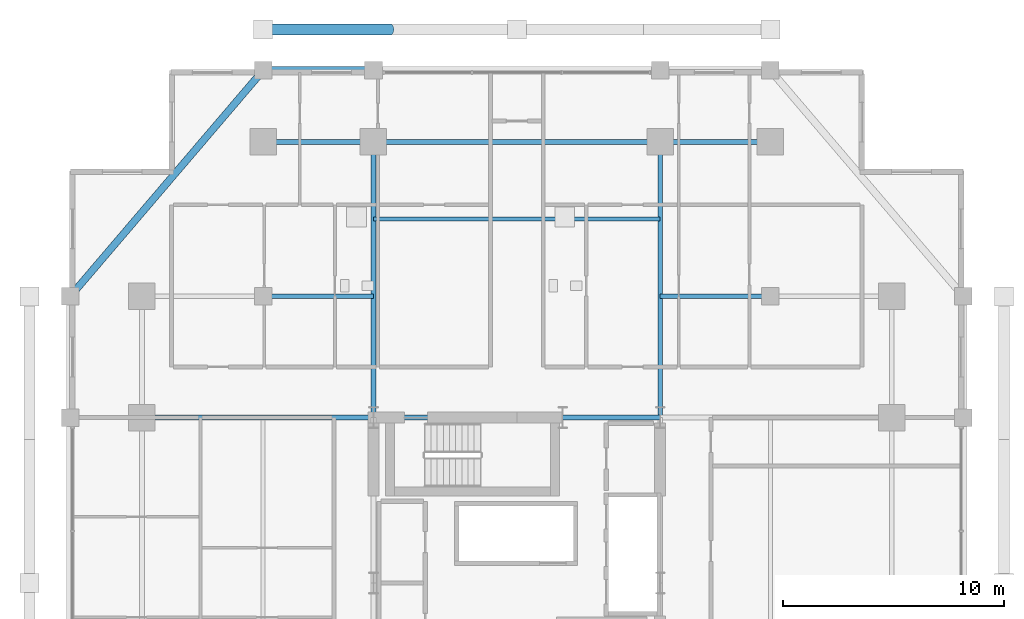
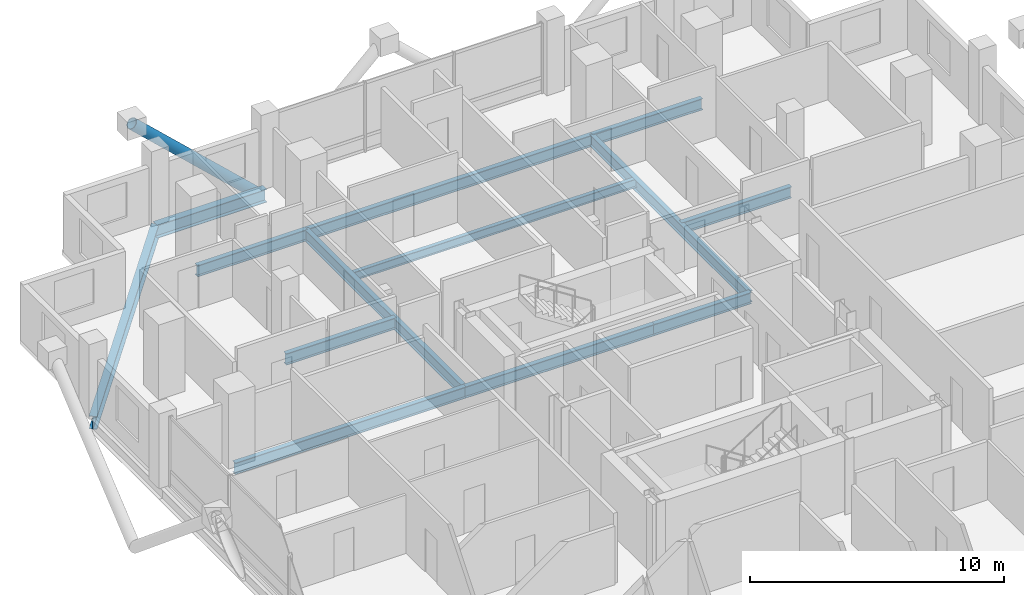
# One storey, part 12 of 23: 13 beams, 1 member.
"""IFC4 building model written with IfcOpenShell, lengths in metres."""

from ifc_helpers import new_model, si_unit, direction, frame, origin, origin_2d, place, context, subcontext, project, spatial, hollow_circle, i_section, extrude, material, material_profile, profile_set, type_object, element, save


model = new_model("IFC4")

# Units and contexts
model_context = context("Model", 3, precision=1e-05, world=origin(), true_north=direction((0.0, 1.0)))
body_context = subcontext(model_context, "Body", "Model", "MODEL_VIEW")
ifc_project = project(units=[si_unit("LENGTHUNIT", "METRE"), si_unit("AREAUNIT", "SQUARE_METRE"), si_unit("VOLUMEUNIT", "CUBIC_METRE"), si_unit("PLANEANGLEUNIT", "RADIAN"), si_unit("MASSUNIT", "GRAM", prefix="KILO")], contexts=[model_context])

# Site, building, storey
site_placement = place(None, origin())
site = spatial("IfcSite", under=ifc_project, at=site_placement, CompositionType="ELEMENT")
building_placement = place(site_placement, origin())
building = spatial("IfcBuilding", under=site, at=building_placement, Name="Barlavira Tower and Art Museum", CompositionType="ELEMENT")
storey_placement = place(building_placement, frame((0.0, 0.0, 140.39990234375)))
storey = spatial("IfcBuildingStorey", under=building, at=storey_placement, Name="L35", CompositionType="ELEMENT", Elevation=140.39990234375)

# Member
ifc_material = material(Name="Steel S355", Category="steel")
ifc_material_profile_1 = material_profile(ifc_material, hollow_circle(Radius=0.25390625, WallThickness=0.022216796875, at=origin_2d()), Name="CHS 508.0x22.2")
ifc_profile_set_1 = profile_set([ifc_material_profile_1], Name="Steel S355")
member_type = type_object("IfcMemberType", Name="Pale-Metal Exoskeleton Diagrid Tube CHS 508x22 Steel S355", PredefinedType="BRACE", material=ifc_profile_set_1)
member_placement = place(storey_placement, frame((-5.75, 25.10009765625, -1.919921875), z_axis=(-0.728950095515, 0.0, 0.684566839869), x_axis=(0.0, -1.0, 0.0)))
element("IfcMember", 1, at=member_placement, inside=storey, type_object=member_type, Name="L35 Exoskeleton Diagrid Tube N", PredefinedType="BRACE", context=body_context, shape_type="SweptSolid", body=[
    extrude(hollow_circle(Radius=0.25390625, WallThickness=0.022216796875, at=origin_2d()), origin(), (0.0, 0.0, 1.0), 7.887939453125),
])

# Beams
ifc_material_profile_2 = material_profile(ifc_material, i_section(OverallWidth=0.327880859375, OverallDepth=0.62890625, WebThickness=0.013916015625, FlangeThickness=0.021484375, at=origin_2d()), Name="W610x174.0")
ifc_profile_set_2 = profile_set([ifc_material_profile_2], Name="Steel S355")
beam_type_1 = type_object("IfcBeamType", Name="Perimeter Spandrel Edge Beam W610x174 Steel S355", PredefinedType="SPANDREL", material=ifc_profile_set_2)
beam_1_placement = place(storey_placement, frame((-11.5, 23.25, -0.534423828125), z_axis=(1.0, 0.0, 0.0), x_axis=(0.0, 1.0, 0.0)))
element("IfcBeam", 2, at=beam_1_placement, inside=storey, type_object=beam_type_1, Name="L35 Spandrel 11", PredefinedType="SPANDREL", context=body_context, shape_type="SweptSolid", body=[
    extrude(i_section(OverallWidth=0.327880859375, OverallDepth=0.62890625, WebThickness=0.013916015625, FlangeThickness=0.021484375, at=origin_2d()), origin(), (0.0, 0.0, 1.0), 5.0),
])
beam_2_placement = place(storey_placement, frame((-11.5, 23.25, -0.534423828125), z_axis=(-0.649262379928, -0.760564502202, 0.0), x_axis=(0.760564502202, -0.649262379928, 0.0)))
element("IfcBeam", 3, at=beam_2_placement, inside=storey, type_object=beam_type_1, Name="L35 Spandrel 12", PredefinedType="SPANDREL", context=body_context, shape_type="SweptSolid", body=[
    extrude(i_section(OverallWidth=0.327880859375, OverallDepth=0.62890625, WebThickness=0.013916015625, FlangeThickness=0.021484375, at=origin_2d()), origin(), (0.0, 0.0, 1.0), 13.476806640625),
])
ifc_material_profile_3 = material_profile(ifc_material, i_section(OverallWidth=0.214111328125, OverallDepth=0.549072265625, WebThickness=0.0146484375, FlangeThickness=0.023681640625, at=origin_2d()), Name="W530x138.0")
ifc_profile_set_3 = profile_set([ifc_material_profile_3], Name="Steel S355")
beam_type_2 = type_object("IfcBeamType", Name="Zone 1 Primary Floor Girder W530x138 Steel S355", PredefinedType="BEAM", material=ifc_profile_set_3)
beam_3_placement = place(storey_placement, frame((-6.5, 7.5, -0.494384765625), z_axis=(1.0, 0.0, 0.0), x_axis=(0.0, 1.0, 0.0)))
element("IfcBeam", 4, at=beam_3_placement, inside=storey, type_object=beam_type_2, Name="L35 Girder C-N1", PredefinedType="BEAM", context=body_context, shape_type="SweptSolid", body=[
    extrude(i_section(OverallWidth=0.214111328125, OverallDepth=0.549072265625, WebThickness=0.0146484375, FlangeThickness=0.023681640625, at=origin_2d()), origin(), (0.0, 0.0, 1.0), 8.580078125),
])
beam_4_placement = place(storey_placement, frame((2.080078125, 7.5, -0.494384765625), z_axis=(1.0, 0.0, 0.0), x_axis=(0.0, 1.0, 0.0)))
element("IfcBeam", 5, at=beam_4_placement, inside=storey, type_object=beam_type_2, Name="L35 Girder C-N2", PredefinedType="BEAM", context=body_context, shape_type="SweptSolid", body=[
    extrude(i_section(OverallWidth=0.214111328125, OverallDepth=0.549072265625, WebThickness=0.0146484375, FlangeThickness=0.023681640625, at=origin_2d()), origin(), (0.0, 0.0, 1.0), 4.419921875),
])
beam_5_placement = place(storey_placement, frame((-11.5, 20.0, -0.494384765625), z_axis=(1.0, 0.0, 0.0), x_axis=(0.0, 1.0, 0.0)))
element("IfcBeam", 6, at=beam_5_placement, inside=storey, type_object=beam_type_2, Name="L35 Girder M-N1", PredefinedType="BEAM", context=body_context, shape_type="SweptSolid", body=[
    extrude(i_section(OverallWidth=0.214111328125, OverallDepth=0.549072265625, WebThickness=0.0146484375, FlangeThickness=0.023681640625, at=origin_2d()), origin(), (0.0, 0.0, 1.0), 5.0),
])
beam_6_placement = place(storey_placement, frame((-6.5, 20.0, -0.494384765625), z_axis=(1.0, 0.0, 0.0), x_axis=(0.0, 1.0, 0.0)))
element("IfcBeam", 7, at=beam_6_placement, inside=storey, type_object=beam_type_2, Name="L35 Girder M-N2", PredefinedType="BEAM", context=body_context, shape_type="SweptSolid", body=[
    extrude(i_section(OverallWidth=0.214111328125, OverallDepth=0.549072265625, WebThickness=0.0146484375, FlangeThickness=0.023681640625, at=origin_2d()), origin(), (0.0, 0.0, 1.0), 13.0),
])
beam_7_placement = place(storey_placement, frame((6.5, 20.0, -0.494384765625), z_axis=(1.0, 0.0, 0.0), x_axis=(0.0, 1.0, 0.0)))
element("IfcBeam", 8, at=beam_7_placement, inside=storey, type_object=beam_type_2, Name="L35 Girder M-N3", PredefinedType="BEAM", context=body_context, shape_type="SweptSolid", body=[
    extrude(i_section(OverallWidth=0.214111328125, OverallDepth=0.549072265625, WebThickness=0.0146484375, FlangeThickness=0.023681640625, at=origin_2d()), origin(), (0.0, 0.0, 1.0), 5.0),
])
for number, where, z_axis, x_axis, name in (
    (9, (-6.5, 7.5, -0.494384765625), (0.0, 1.0, 0.0), (-1.0, 0.0, 0.0), "L35 Girder R-N1"),
    (10, (6.5, 7.5, -0.494384765625), (0.0, 1.0, 0.0), (-1.0, 0.0, 0.0), "L35 Girder R-N2"),
):
    element("IfcBeam", number, at=place(storey_placement, frame(where, z_axis=z_axis, x_axis=x_axis)), inside=storey, type_object=beam_type_2, Name=name, PredefinedType="BEAM", context=body_context, shape_type="SweptSolid", body=[
        extrude(i_section(OverallWidth=0.214111328125, OverallDepth=0.549072265625, WebThickness=0.0146484375, FlangeThickness=0.023681640625, at=origin_2d()), origin(), (0.0, 0.0, 1.0), 12.5),
    ])
beam_8_placement = place(storey_placement, frame((-17.0, 7.5, -0.494384765625), z_axis=(1.0, 0.0, 0.0), x_axis=(0.0, 1.0, 0.0)))
element("IfcBeam", 11, at=beam_8_placement, inside=storey, type_object=beam_type_2, Name="L35 Girder R-W2", PredefinedType="BEAM", context=body_context, shape_type="SweptSolid", body=[
    extrude(i_section(OverallWidth=0.214111328125, OverallDepth=0.549072265625, WebThickness=0.0146484375, FlangeThickness=0.023681640625, at=origin_2d()), origin(), (0.0, 0.0, 1.0), 10.5),
])
for number, where, z_axis, x_axis, name in (
    (12, (-11.5, 13.0, -0.494384765625), (1.0, 0.0, 0.0), (0.0, 1.0, 0.0), "L35 Girder I-N2"),
    (13, (6.5, 13.0, -0.494384765625), (1.0, 0.0, 0.0), (0.0, 1.0, 0.0), "L35 Girder I-N3"),
):
    element("IfcBeam", number, at=place(storey_placement, frame(where, z_axis=z_axis, x_axis=x_axis)), inside=storey, type_object=beam_type_2, Name=name, PredefinedType="BEAM", context=body_context, shape_type="SweptSolid", body=[
        extrude(i_section(OverallWidth=0.214111328125, OverallDepth=0.549072265625, WebThickness=0.0146484375, FlangeThickness=0.023681640625, at=origin_2d()), origin(), (0.0, 0.0, 1.0), 5.0),
    ])
ifc_material_profile_4 = material_profile(ifc_material, i_section(OverallWidth=0.179931640625, OverallDepth=0.4130859375, WebThickness=0.009765625, FlangeThickness=0.01611328125, at=origin_2d()), Name="W410x75.0")
ifc_profile_set_4 = profile_set([ifc_material_profile_4], Name="Steel S355")
beam_type_3 = type_object("IfcBeamType", Name="Zone 2 Composite Floor Joist W410x75 Steel S355", PredefinedType="JOIST", material=ifc_profile_set_4)
beam_9_placement = place(storey_placement, frame((-6.5, 16.5, -0.426513671875), z_axis=(1.0, 0.0, 0.0), x_axis=(0.0, 1.0, 0.0)))
element("IfcBeam", 14, at=beam_9_placement, inside=storey, type_object=beam_type_3, Name="L35 Joist C2", PredefinedType="JOIST", context=body_context, shape_type="SweptSolid", body=[
    extrude(i_section(OverallWidth=0.179931640625, OverallDepth=0.4130859375, WebThickness=0.009765625, FlangeThickness=0.01611328125, at=origin_2d()), origin(), (0.0, 0.0, 1.0), 13.0),
])

save(model, "model.ifc")
